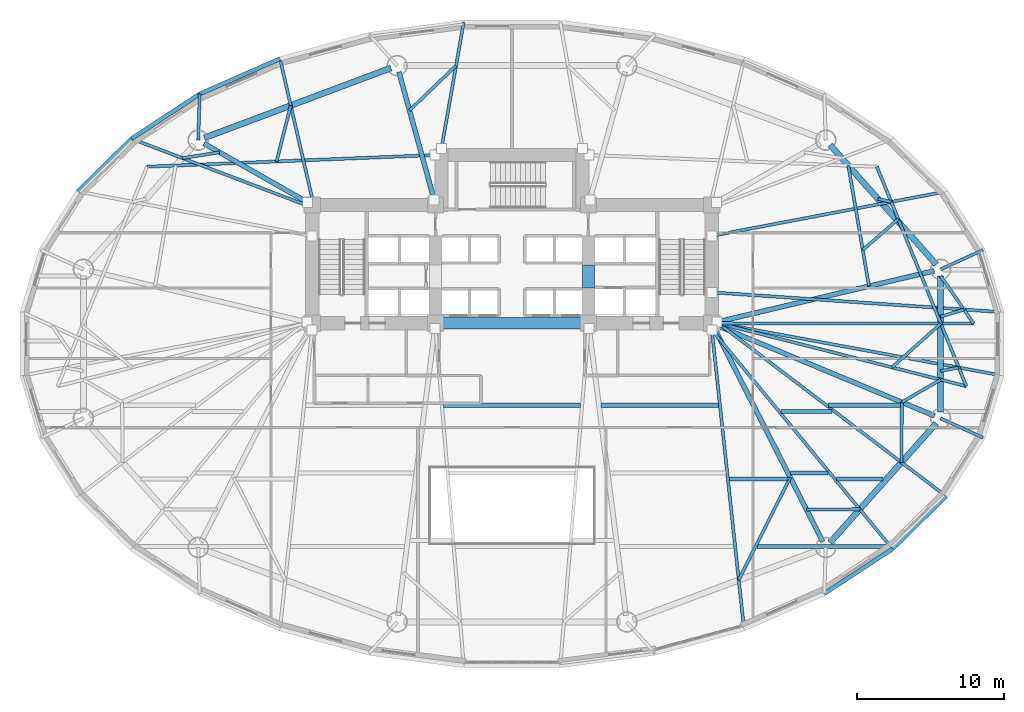
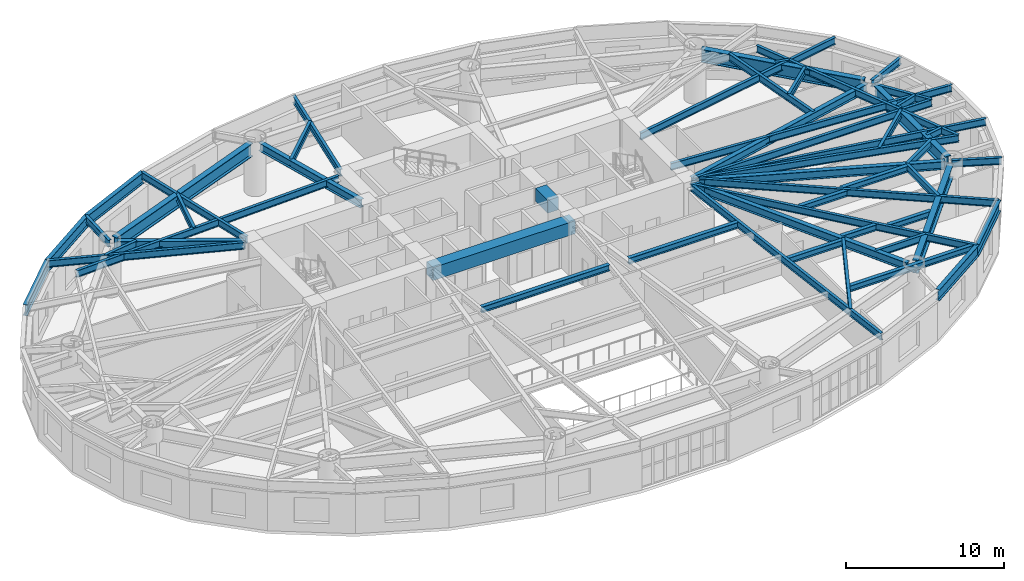
# One storey, part 5 of 19: 54 beams.
"""IFC4 building model written with IfcOpenShell, lengths in metres."""

from ifc_helpers import new_model, si_unit, direction, frame, origin, origin_2d, place, context, subcontext, project, spatial, rectangle, i_section, extrude, material, material_profile, profile_set, type_object, element, save


model = new_model("IFC4")

# Units and contexts
model_context = context("Model", 3, precision=1e-05, world=origin(), true_north=direction((0.0, 1.0)))
body_context = subcontext(model_context, "Body", "Model", "MODEL_VIEW")
ifc_project = project(units=[si_unit("LENGTHUNIT", "METRE"), si_unit("AREAUNIT", "SQUARE_METRE"), si_unit("VOLUMEUNIT", "CUBIC_METRE"), si_unit("PLANEANGLEUNIT", "RADIAN"), si_unit("MASSUNIT", "GRAM", prefix="KILO")], contexts=[model_context])

# Site, building, storey
site_placement = place(None, origin())
site = spatial("IfcSite", under=ifc_project, at=site_placement, CompositionType="ELEMENT")
building_placement = place(site_placement, origin())
building = spatial("IfcBuilding", under=site, at=building_placement, Name="Keldmark Tower", CompositionType="ELEMENT")
storey_placement = place(building_placement, frame((0.0, 0.0, 10.199951171875)))
storey = spatial("IfcBuildingStorey", under=building, at=storey_placement, Name="L02", CompositionType="ELEMENT", Elevation=10.199951171875)

# Beams
ifc_material_1 = material(Name="Steel ASTM A992 Grade 50", Category="steel")
ifc_material_profile_1 = material_profile(ifc_material_1, i_section(OverallWidth=0.280029296875, OverallDepth=0.462890625, WebThickness=0.0107421875, FlangeThickness=0.017333984375, at=origin_2d()), Name="W18X76")
ifc_profile_set_1 = profile_set([ifc_material_profile_1], Name="Steel ASTM A992 Grade 50")
beam_type_1 = type_object("IfcBeamType", Name="Composite Floor Joist W18X76", PredefinedType="JOIST", material=ifc_profile_set_1)
beam_1_placement = place(storey_placement, frame((16.68310546875, -13.800048828125, 3.74853515625), z_axis=(1.0, 0.0, 0.0), x_axis=(0.0, 1.0, 0.0)))
element("IfcBeam", 1, at=beam_1_placement, inside=storey, type_object=beam_type_1, Name="L02 Composite Floor Joist J07", PredefinedType="JOIST", context=body_context, shape_type="SweptSolid", body=[
    extrude(i_section(OverallWidth=0.280029296875, OverallDepth=0.462890625, WebThickness=0.0107421875, FlangeThickness=0.017333984375, at=origin_2d()), origin(), (0.0, 0.0, 1.0), 8.95751953125),
])
beam_2_placement = place(storey_placement, frame((14.789794921875, -9.199951171875, 3.74853515625), z_axis=(1.0, 0.0, 0.0), x_axis=(0.0, 1.0, 0.0)))
element("IfcBeam", 2, at=beam_2_placement, inside=storey, type_object=beam_type_1, Name="L02 Composite Floor Joist J14", PredefinedType="JOIST", context=body_context, shape_type="SweptSolid", body=[
    extrude(i_section(OverallWidth=0.280029296875, OverallDepth=0.462890625, WebThickness=0.0107421875, FlangeThickness=0.017333984375, at=origin_2d()), origin(), (0.0, 0.0, 1.0), 3.982421875),
])
beam_3_placement = place(storey_placement, frame((18.947265625, -8.780029296875, 3.74853515625), z_axis=(1.0, 0.0, 0.0), x_axis=(0.0, 1.0, 0.0)))
element("IfcBeam", 3, at=beam_3_placement, inside=storey, type_object=beam_type_1, Name="L02 Composite Floor Joist J15", PredefinedType="JOIST", context=body_context, shape_type="SweptSolid", body=[
    extrude(i_section(OverallWidth=0.280029296875, OverallDepth=0.462890625, WebThickness=0.0107421875, FlangeThickness=0.017333984375, at=origin_2d()), origin(), (0.0, 0.0, 1.0), 2.552734375),
])
beam_4_placement = place(storey_placement, frame((22.09814453125, -9.199951171875, 3.74853515625), z_axis=(1.0, 0.0, 0.0), x_axis=(0.0, 1.0, 0.0)))
element("IfcBeam", 4, at=beam_4_placement, inside=storey, type_object=beam_type_1, Name="L02 Composite Floor Joist J16", PredefinedType="JOIST", context=body_context, shape_type="SweptSolid", body=[
    extrude(i_section(OverallWidth=0.280029296875, OverallDepth=0.462890625, WebThickness=0.0107421875, FlangeThickness=0.017333984375, at=origin_2d()), origin(), (0.0, 0.0, 1.0), 3.142822265625),
])
beam_5_placement = place(storey_placement, frame((-4.67333984375, -4.179931640625, 3.74853515625), z_axis=(1.0, 0.0, 0.0), x_axis=(0.0, 1.0, 0.0)))
element("IfcBeam", 5, at=beam_5_placement, inside=storey, type_object=beam_type_1, Name="L02 Composite Floor Joist J21", PredefinedType="JOIST", context=body_context, shape_type="SweptSolid", body=[
    extrude(i_section(OverallWidth=0.280029296875, OverallDepth=0.462890625, WebThickness=0.0107421875, FlangeThickness=0.017333984375, at=origin_2d()), origin(), (0.0, 0.0, 1.0), 9.3466796875),
])
beam_6_placement = place(storey_placement, frame((6.073974609375, -4.179931640625, 3.74853515625), z_axis=(1.0, 0.0, 0.0), x_axis=(0.0, 1.0, 0.0)))
element("IfcBeam", 6, at=beam_6_placement, inside=storey, type_object=beam_type_1, Name="L02 Composite Floor Joist J22", PredefinedType="JOIST", context=body_context, shape_type="SweptSolid", body=[
    extrude(i_section(OverallWidth=0.280029296875, OverallDepth=0.462890625, WebThickness=0.0107421875, FlangeThickness=0.017333984375, at=origin_2d()), origin(), (0.0, 0.0, 1.0), 7.98193359375),
])
beam_7_placement = place(storey_placement, frame((18.303955078125, -4.60009765625, 3.74853515625), z_axis=(1.0, 0.0, 0.0), x_axis=(0.0, 1.0, 0.0)))
element("IfcBeam", 7, at=beam_7_placement, inside=storey, type_object=beam_type_1, Name="L02 Composite Floor Joist J23", PredefinedType="JOIST", context=body_context, shape_type="SweptSolid", body=[
    extrude(i_section(OverallWidth=0.280029296875, OverallDepth=0.462890625, WebThickness=0.0107421875, FlangeThickness=0.017333984375, at=origin_2d()), origin(), (0.0, 0.0, 1.0), 3.482177734375),
])
beam_8_placement = place(storey_placement, frame((21.55712890625, -4.179931640625, 3.74853515625), z_axis=(1.0, 0.0, 0.0), x_axis=(0.0, 1.0, 0.0)))
element("IfcBeam", 8, at=beam_8_placement, inside=storey, type_object=beam_type_1, Name="L02 Composite Floor Joist J24", PredefinedType="JOIST", context=body_context, shape_type="SweptSolid", body=[
    extrude(i_section(OverallWidth=0.280029296875, OverallDepth=0.462890625, WebThickness=0.0107421875, FlangeThickness=0.017333984375, at=origin_2d()), origin(), (0.0, 0.0, 1.0), 4.87646484375),
])
ifc_material_2 = material(Name="Concrete C70/85", Category="concrete")
ifc_material_profile_2 = material_profile(ifc_material_2, rectangle(XDim=0.800048828125, YDim=1.0, at=origin_2d()), Name="RCB800X1000")
ifc_profile_set_2 = profile_set([ifc_material_profile_2], Name="Concrete C70/85")
beam_type_2 = type_object("IfcBeamType", Name="Core Coupling Beam RCB800X1000", PredefinedType="USERDEFINED", material=ifc_profile_set_2)
beam_9_placement = place(storey_placement, frame((5.199951171875, 3.800048828125, 3.47998046875), z_axis=(0.0, 1.0, 0.0), x_axis=(-1.0, 0.0, 0.0)))
element("IfcBeam", 9, at=beam_9_placement, inside=storey, type_object=beam_type_2, Name="L02 East Core Coupling Beam", ObjectType="COUPLING BEAM", PredefinedType="USERDEFINED", context=body_context, shape_type="SweptSolid", body=[
    extrude(rectangle(XDim=0.800048828125, YDim=1.0, at=origin_2d()), origin(), (0.0, 0.0, 1.0), 1.550048828125),
])
beam_10_placement = place(storey_placement, frame((-5.199951171875, 1.39990234375, 3.47998046875), z_axis=(1.0, 0.0, 0.0), x_axis=(0.0, 1.0, 0.0)))
element("IfcBeam", 10, at=beam_10_placement, inside=storey, type_object=beam_type_2, Name="L02 Central South Core Coupling Beam", ObjectType="COUPLING BEAM", PredefinedType="USERDEFINED", context=body_context, shape_type="SweptSolid", body=[
    extrude(rectangle(XDim=0.800048828125, YDim=1.0, at=origin_2d()), origin(), (0.0, 0.0, 1.0), 10.39990234375),
])
ifc_material_3 = material(Name="Steel ASTM A992 Grade 50", Category="steel")
ifc_material_profile_3 = material_profile(ifc_material_3, i_section(OverallWidth=0.402099609375, OverallDepth=1.011962890625, WebThickness=0.023681640625, FlangeThickness=0.0419921875, at=origin_2d()), Name="W40X297")
ifc_profile_set_3 = profile_set([ifc_material_profile_3], Name="Steel ASTM A992 Grade 50")
beam_type_3 = type_object("IfcBeamType", Name="Podium Primary Girder W40X297", PredefinedType="BEAM", material=ifc_profile_set_3)
beam_11_placement = place(storey_placement, frame((28.871826171875, 5.4091796875, 3.47412109375), z_axis=(-0.66464984112, 0.747154996436, 0.0), x_axis=(-0.747154996436, -0.66464984112, 0.0)))
element("IfcBeam", 11, at=beam_11_placement, inside=storey, type_object=beam_type_3, Name="L02 Podium Ring Girder PG-R01", PredefinedType="BEAM", context=body_context, shape_type="SweptSolid", body=[
    extrude(i_section(OverallWidth=0.402099609375, OverallDepth=1.011962890625, WebThickness=0.023681640625, FlangeThickness=0.0419921875, at=origin_2d()), origin(), (0.0, 0.0, 1.0), 10.85986328125),
])
beam_12_placement = place(storey_placement, frame((-8.23779296875, 18.774169921875, 3.47412109375), z_axis=(-0.936417954382, -0.350886612329, 0.0), x_axis=(0.350886612329, -0.936417954382, 0.0)))
element("IfcBeam", 12, at=beam_12_placement, inside=storey, type_object=beam_type_3, Name="L02 Podium Ring Girder PG-R04", PredefinedType="BEAM", context=body_context, shape_type="SweptSolid", body=[
    extrude(i_section(OverallWidth=0.402099609375, OverallDepth=1.011962890625, WebThickness=0.023681640625, FlangeThickness=0.0419921875, at=origin_2d()), origin(), (0.0, 0.0, 1.0), 13.557373046875),
])
beam_13_placement = place(storey_placement, frame((21.65380859375, -13.523193359375, 3.47412109375), z_axis=(0.66464984112, 0.747154996436, 0.0), x_axis=(-0.747154996436, 0.66464984112, 0.0)))
element("IfcBeam", 13, at=beam_13_placement, inside=storey, type_object=beam_type_3, Name="L02 Podium Ring Girder PG-R11", PredefinedType="BEAM", context=body_context, shape_type="SweptSolid", body=[
    extrude(i_section(OverallWidth=0.402099609375, OverallDepth=1.011962890625, WebThickness=0.023681640625, FlangeThickness=0.0419921875, at=origin_2d()), origin(), (0.0, 0.0, 1.0), 10.85986328125),
])
beam_14_placement = place(storey_placement, frame((29.1708984375, -4.622802734375, 3.47412109375), z_axis=(0.0, 1.0, 0.0), x_axis=(-1.0, 0.0, 0.0)))
element("IfcBeam", 14, at=beam_14_placement, inside=storey, type_object=beam_type_3, Name="L02 Podium Ring Girder PG-R12", PredefinedType="BEAM", context=body_context, shape_type="SweptSolid", body=[
    extrude(i_section(OverallWidth=0.402099609375, OverallDepth=1.011962890625, WebThickness=0.023681640625, FlangeThickness=0.0419921875, at=origin_2d()), origin(), (0.0, 0.0, 1.0), 9.24560546875),
])
ifc_material_4 = material(Name="Steel ASTM A992 Grade 50", Category="steel")
ifc_material_profile_4 = material_profile(ifc_material_4, i_section(OverallWidth=0.2099609375, OverallDepth=0.537109375, WebThickness=0.010986328125, FlangeThickness=0.017333984375, at=origin_2d()), Name="W21X68")
ifc_profile_set_4 = profile_set([ifc_material_profile_4], Name="Steel ASTM A992 Grade 50")
beam_type_4 = type_object("IfcBeamType", Name="Radial Tie Girder W21X68", PredefinedType="BEAM", material=ifc_profile_set_4)
beam_15_placement = place(storey_placement, frame((24.29541015625, 3.9228515625, 3.711669921875), z_axis=(-0.168727090465, 0.985662806919, 0.0), x_axis=(-0.985662806919, -0.168727090465, 0.0)))
element("IfcBeam", 15, at=beam_15_placement, inside=storey, type_object=beam_type_4, Name="L02 Framing Pin Header PH-001", PredefinedType="BEAM", context=body_context, shape_type="SweptSolid", body=[
    extrude(i_section(OverallWidth=0.2099609375, OverallDepth=0.537109375, WebThickness=0.010986328125, FlangeThickness=0.017333984375, at=origin_2d()), origin(), (0.0, 0.0, 1.0), 8.330078125),
])
beam_16_placement = place(storey_placement, frame((-5.25, 12.85009765625, 3.711669921875), z_axis=(-0.999176318744, -0.040579355112, 0.0), x_axis=(0.040579355112, -0.999176318744, 0.0)))
element("IfcBeam", 16, at=beam_16_placement, inside=storey, type_object=beam_type_4, Name="L02 Sub-Ring Step Girder STP1-M06", PredefinedType="BEAM", context=body_context, shape_type="SweptSolid", body=[
    extrude(i_section(OverallWidth=0.2099609375, OverallDepth=0.537109375, WebThickness=0.010986328125, FlangeThickness=0.017333984375, at=origin_2d()), origin(), (0.0, 0.0, 1.0), 19.601318359375),
])
beam_17_placement = place(storey_placement, frame((26.53076171875, -3.975341796875, 3.711669921875), z_axis=(0.864583927723, 0.502488439591, 0.0), x_axis=(-0.502488439591, 0.864583927723, 0.0)))
element("IfcBeam", 17, at=beam_17_placement, inside=storey, type_object=beam_type_4, Name="L02 Framing Pin Header PH-004", PredefinedType="BEAM", context=body_context, shape_type="SweptSolid", body=[
    extrude(i_section(OverallWidth=0.2099609375, OverallDepth=0.537109375, WebThickness=0.010986328125, FlangeThickness=0.017333984375, at=origin_2d()), origin(), (0.0, 0.0, 1.0), 3.0537109375),
])
beam_18_placement = place(storey_placement, frame((14.050048828125, 1.39990234375, 3.711669921875), z_axis=(0.969223280707, -0.246183330336, 0.0), x_axis=(0.246183330336, 0.969223280707, 0.0)))
element("IfcBeam", 18, at=beam_18_placement, inside=storey, type_object=beam_type_4, Name="L02 Sub-Ring Step Girder STP1-M12", PredefinedType="BEAM", context=body_context, shape_type="SweptSolid", body=[
    extrude(i_section(OverallWidth=0.2099609375, OverallDepth=0.537109375, WebThickness=0.010986328125, FlangeThickness=0.017333984375, at=origin_2d()), origin(), (0.0, 0.0, 1.0), 17.409423828125),
])
beam_19_placement = place(storey_placement, frame((30.923583984375, -2.885986328125, 3.711669921875), z_axis=(-0.377373313858, 0.926061219352, 0.0), x_axis=(-0.926061219352, -0.377373313858, 0.0)))
element("IfcBeam", 19, at=beam_19_placement, inside=storey, type_object=beam_type_4, Name="L02 Perimeter Collector Ring Beam CRG1-M12", PredefinedType="BEAM", context=body_context, shape_type="SweptSolid", body=[
    extrude(i_section(OverallWidth=0.2099609375, OverallDepth=0.537109375, WebThickness=0.010986328125, FlangeThickness=0.017333984375, at=origin_2d()), origin(), (0.0, 0.0, 1.0), 16.133544921875),
])
beam_20_placement = place(storey_placement, frame((23.873779296875, 6.385986328125, 3.711669921875), z_axis=(0.75360521116, 0.657327304859, 0.0), x_axis=(-0.657327304859, 0.75360521116, 0.0)))
element("IfcBeam", 20, at=beam_20_placement, inside=storey, type_object=beam_type_4, Name="L02 Framing Pin Header PH-005", PredefinedType="BEAM", context=body_context, shape_type="SweptSolid", body=[
    extrude(i_section(OverallWidth=0.2099609375, OverallDepth=0.537109375, WebThickness=0.010986328125, FlangeThickness=0.017333984375, at=origin_2d()), origin(), (0.0, 0.0, 1.0), 3.20263671875),
])
beam_21_placement = place(storey_placement, frame((25.861328125, -1.60009765625, 3.711669921875), z_axis=(0.744769074926, 0.667322279737, 0.0), x_axis=(-0.667322279737, 0.744769074926, 0.0)))
element("IfcBeam", 21, at=beam_21_placement, inside=storey, type_object=beam_type_4, Name="L02 Framing Pin Header PH-007", PredefinedType="BEAM", context=body_context, shape_type="SweptSolid", body=[
    extrude(i_section(OverallWidth=0.2099609375, OverallDepth=0.537109375, WebThickness=0.010986328125, FlangeThickness=0.017333984375, at=origin_2d()), origin(), (0.0, 0.0, 1.0), 4.4638671875),
])
beam_22_placement = place(storey_placement, frame((14.050048828125, 1.39990234375, 3.711669921875), z_axis=(0.999999012479, -0.001405361477, 0.0), x_axis=(0.001405361477, 0.999999012479, 0.0)))
element("IfcBeam", 22, at=beam_22_placement, inside=storey, type_object=beam_type_4, Name="L02 Intermediate Radial Step Girder RT-01M", PredefinedType="BEAM", context=body_context, shape_type="SweptSolid", body=[
    extrude(i_section(OverallWidth=0.2099609375, OverallDepth=0.537109375, WebThickness=0.010986328125, FlangeThickness=0.017333984375, at=origin_2d()), origin(), (0.0, 0.0, 1.0), 17.3720703125),
])
beam_23_placement = place(storey_placement, frame((29.1708984375, 4.622802734375, 3.711669921875), z_axis=(0.569736780414, -0.821827233087, 0.0), x_axis=(0.821827233087, 0.569736780414, 0.0)))
element("IfcBeam", 23, at=beam_23_placement, inside=storey, type_object=beam_type_4, Name="L02 Local Collector Chord RT-01C", PredefinedType="BEAM", context=body_context, shape_type="SweptSolid", body=[
    extrude(i_section(OverallWidth=0.2099609375, OverallDepth=0.537109375, WebThickness=0.010986328125, FlangeThickness=0.017333984375, at=origin_2d()), origin(), (0.0, 0.0, 1.0), 3.951416015625),
])
beam_24_placement = place(storey_placement, frame((29.1708984375, 1.84912109375, 3.711669921875), z_axis=(0.956545506863, 0.291583081299, 0.0), x_axis=(-0.291583081299, 0.956545506863, 0.0)))
element("IfcBeam", 24, at=beam_24_placement, inside=storey, type_object=beam_type_4, Name="L02 Framing Pin Header PH-008", PredefinedType="BEAM", context=body_context, shape_type="SweptSolid", body=[
    extrude(i_section(OverallWidth=0.2099609375, OverallDepth=0.537109375, WebThickness=0.010986328125, FlangeThickness=0.017333984375, at=origin_2d()), origin(), (0.0, 0.0, 1.0), 1.659423828125),
])
beam_25_placement = place(storey_placement, frame((13.60009765625, 3.507080078125, 3.711669921875), z_axis=(0.99766727611, -0.068264237918, 0.0), x_axis=(0.068264237918, 0.99766727611, 0.0)))
element("IfcBeam", 25, at=beam_25_placement, inside=storey, type_object=beam_type_4, Name="L02 Perimeter Radial Tie Girder RT-01", PredefinedType="BEAM", context=body_context, shape_type="SweptSolid", body=[
    extrude(i_section(OverallWidth=0.2099609375, OverallDepth=0.537109375, WebThickness=0.010986328125, FlangeThickness=0.017333984375, at=origin_2d()), origin(), (0.0, 0.0, 1.0), 19.78466796875),
])
beam_26_placement = place(storey_placement, frame((29.1708984375, 5.072998046875, 3.711669921875), z_axis=(0.910237250682, 0.414087125458, 0.0), x_axis=(-0.414087125458, 0.910237250682, 0.0)))
element("IfcBeam", 26, at=beam_26_placement, inside=storey, type_object=beam_type_4, Name="L02 Perimeter Column Bracket RT-02", PredefinedType="BEAM", context=body_context, shape_type="SweptSolid", body=[
    extrude(i_section(OverallWidth=0.2099609375, OverallDepth=0.537109375, WebThickness=0.010986328125, FlangeThickness=0.017333984375, at=origin_2d()), origin(), (0.0, 0.0, 1.0), 3.17138671875),
])
beam_27_placement = place(storey_placement, frame((24.90185546875, 9.871826171875, 3.711669921875), z_axis=(0.974258642334, -0.225433133848, 0.0), x_axis=(0.225433133848, 0.974258642334, 0.0)))
element("IfcBeam", 27, at=beam_27_placement, inside=storey, type_object=beam_type_4, Name="L02 Framing Pin Header PH-009", PredefinedType="BEAM", context=body_context, shape_type="SweptSolid", body=[
    extrude(i_section(OverallWidth=0.2099609375, OverallDepth=0.537109375, WebThickness=0.010986328125, FlangeThickness=0.017333984375, at=origin_2d()), origin(), (0.0, 0.0, 1.0), 0.932373046875),
])
beam_28_placement = place(storey_placement, frame((13.60009765625, 7.343017578125, 3.711669921875), z_axis=(0.982445190552, 0.186551460894, 0.0), x_axis=(-0.186551460894, 0.982445190552, 0.0)))
element("IfcBeam", 28, at=beam_28_placement, inside=storey, type_object=beam_type_4, Name="L02 Perimeter Radial Tie Girder RT-03", PredefinedType="BEAM", context=body_context, shape_type="SweptSolid", body=[
    extrude(i_section(OverallWidth=0.2099609375, OverallDepth=0.537109375, WebThickness=0.010986328125, FlangeThickness=0.017333984375, at=origin_2d()), origin(), (0.0, 0.0, 1.0), 16.229248046875),
])
beam_29_placement = place(storey_placement, frame((-6.9755859375, 15.885009765625, 3.711669921875), z_axis=(0.720880013375, 0.69305988653, 0.0), x_axis=(-0.69305988653, 0.720880013375, 0.0)))
element("IfcBeam", 29, at=beam_29_placement, inside=storey, type_object=beam_type_4, Name="L02 Framing Pin Header PH-013", PredefinedType="BEAM", context=body_context, shape_type="SweptSolid", body=[
    extrude(i_section(OverallWidth=0.2099609375, OverallDepth=0.537109375, WebThickness=0.010986328125, FlangeThickness=0.017333984375, at=origin_2d()), origin(), (0.0, 0.0, 1.0), 4.396728515625),
])
beam_30_placement = place(storey_placement, frame((-4.800048828125, 13.300048828125, 3.711669921875), z_axis=(0.173759798583, 0.984788064711, 0.0), x_axis=(-0.984788064711, 0.173759798583, 0.0)))
element("IfcBeam", 30, at=beam_30_placement, inside=storey, type_object=beam_type_4, Name="L02 Perimeter Radial Tie Girder RT-09", PredefinedType="BEAM", context=body_context, shape_type="SweptSolid", body=[
    extrude(i_section(OverallWidth=0.2099609375, OverallDepth=0.537109375, WebThickness=0.010986328125, FlangeThickness=0.017333984375, at=origin_2d()), origin(), (0.0, 0.0, 1.0), 8.726806640625),
])
beam_31_placement = place(storey_placement, frame((-16.02197265625, 12.41259765625, 3.711669921875), z_axis=(0.245606779521, 0.969369542462, 0.0), x_axis=(-0.969369542462, 0.245606779521, 0.0)))
element("IfcBeam", 31, at=beam_31_placement, inside=storey, type_object=beam_type_4, Name="L02 Framing Pin Header PH-014", PredefinedType="BEAM", context=body_context, shape_type="SweptSolid", body=[
    extrude(i_section(OverallWidth=0.2099609375, OverallDepth=0.537109375, WebThickness=0.010986328125, FlangeThickness=0.017333984375, at=origin_2d()), origin(), (0.0, 0.0, 1.0), 3.926513671875),
])
beam_32_placement = place(storey_placement, frame((-13.60009765625, 9.89990234375, 3.711669921875), z_axis=(-0.224740658325, 0.974418614608, 0.0), x_axis=(-0.974418614608, -0.224740658325, 0.0)))
element("IfcBeam", 32, at=beam_32_placement, inside=storey, type_object=beam_type_4, Name="L02 Perimeter Radial Tie Girder RT-11", PredefinedType="BEAM", context=body_context, shape_type="SweptSolid", body=[
    extrude(i_section(OverallWidth=0.2099609375, OverallDepth=0.537109375, WebThickness=0.010986328125, FlangeThickness=0.017333984375, at=origin_2d()), origin(), (0.0, 0.0, 1.0), 9.751953125),
])
beam_33_placement = place(storey_placement, frame((-21.3544921875, 13.859375, 3.711669921875), z_axis=(0.032491176768, 0.999472022336, 0.0), x_axis=(-0.999472022336, 0.032491176768, 0.0)))
element("IfcBeam", 33, at=beam_33_placement, inside=storey, type_object=beam_type_4, Name="L02 Perimeter Column Bracket RT-12", PredefinedType="BEAM", context=body_context, shape_type="SweptSolid", body=[
    extrude(i_section(OverallWidth=0.2099609375, OverallDepth=0.537109375, WebThickness=0.010986328125, FlangeThickness=0.017333984375, at=origin_2d()), origin(), (0.0, 0.0, 1.0), 3.1484375),
])
beam_34_placement = place(storey_placement, frame((-19.904541015625, 13.034912109375, 3.711669921875), z_axis=(-0.988136063904, -0.153580985843, 0.0), x_axis=(0.153580985843, -0.988136063904, 0.0)))
element("IfcBeam", 34, at=beam_34_placement, inside=storey, type_object=beam_type_4, Name="L02 Framing Pin Header PH-015", PredefinedType="BEAM", context=body_context, shape_type="SweptSolid", body=[
    extrude(i_section(OverallWidth=0.2099609375, OverallDepth=0.537109375, WebThickness=0.010986328125, FlangeThickness=0.017333984375, at=origin_2d()), origin(), (0.0, 0.0, 1.0), 2.564208984375),
])
beam_35_placement = place(storey_placement, frame((-14.050048828125, 9.449951171875, 3.711669921875), z_axis=(-0.934642662924, 0.355588375293, 0.0), x_axis=(-0.355588375293, -0.934642662924, 0.0)))
element("IfcBeam", 35, at=beam_35_placement, inside=storey, type_object=beam_type_4, Name="L02 Perimeter Radial Tie Girder RT-13", PredefinedType="BEAM", context=body_context, shape_type="SweptSolid", body=[
    extrude(i_section(OverallWidth=0.2099609375, OverallDepth=0.537109375, WebThickness=0.010986328125, FlangeThickness=0.017333984375, at=origin_2d()), origin(), (0.0, 0.0, 1.0), 12.67431640625),
])
beam_36_placement = place(storey_placement, frame((18.93310546875, -9.09423828125, 3.711669921875), z_axis=(-0.447976051769, -0.894045556469, 0.0), x_axis=(0.894045556469, -0.447976051769, 0.0)))
element("IfcBeam", 36, at=beam_36_placement, inside=storey, type_object=beam_type_4, Name="L02 Framing Pin Header PH-024", PredefinedType="BEAM", context=body_context, shape_type="SweptSolid", body=[
    extrude(i_section(OverallWidth=0.2099609375, OverallDepth=0.537109375, WebThickness=0.010986328125, FlangeThickness=0.017333984375, at=origin_2d()), origin(), (0.0, 0.0, 1.0), 7.811279296875),
])
beam_37_placement = place(storey_placement, frame((13.60009765625, 0.949951171875, 3.711669921875), z_axis=(0.10706666985, -0.994251843452, 0.0), x_axis=(0.994251843452, 0.10706666985, 0.0)))
element("IfcBeam", 37, at=beam_37_placement, inside=storey, type_object=beam_type_4, Name="L02 Perimeter Radial Tie Girder RT-27", PredefinedType="BEAM", context=body_context, shape_type="SweptSolid", body=[
    extrude(i_section(OverallWidth=0.2099609375, OverallDepth=0.537109375, WebThickness=0.010986328125, FlangeThickness=0.017333984375, at=origin_2d()), origin(), (0.0, 0.0, 1.0), 20.469970703125),
])
beam_38_placement = place(storey_placement, frame((20.0419921875, -11.276123046875, 3.711669921875), z_axis=(0.999986569863, 0.005182672537, 0.0), x_axis=(-0.005182672537, 0.999986569863, 0.0)))
element("IfcBeam", 38, at=beam_38_placement, inside=storey, type_object=beam_type_4, Name="L02 Framing Pin Header PH-025", PredefinedType="BEAM", context=body_context, shape_type="SweptSolid", body=[
    extrude(i_section(OverallWidth=0.2099609375, OverallDepth=0.537109375, WebThickness=0.010986328125, FlangeThickness=0.017333984375, at=origin_2d()), origin(), (0.0, 0.0, 1.0), 3.627197265625),
])
beam_39_placement = place(storey_placement, frame((13.60009765625, 0.949951171875, 3.711669921875), z_axis=(0.636316421227, -0.771428163912, 0.0), x_axis=(0.771428163912, 0.636316421227, 0.0)))
element("IfcBeam", 39, at=beam_39_placement, inside=storey, type_object=beam_type_4, Name="L02 Perimeter Radial Tie Girder RT-29", PredefinedType="BEAM", context=body_context, shape_type="SweptSolid", body=[
    extrude(i_section(OverallWidth=0.2099609375, OverallDepth=0.537109375, WebThickness=0.010986328125, FlangeThickness=0.017333984375, at=origin_2d()), origin(), (0.0, 0.0, 1.0), 19.323486328125),
])
beam_40_placement = place(storey_placement, frame((26.53076171875, -3.975341796875, 3.711669921875), z_axis=(-0.005253345215, -0.999986201087, 0.0), x_axis=(0.999986201087, -0.005253345215, 0.0)))
element("IfcBeam", 40, at=beam_40_placement, inside=storey, type_object=beam_type_4, Name="L02 Framing Pin Header PH-026", PredefinedType="BEAM", context=body_context, shape_type="SweptSolid", body=[
    extrude(i_section(OverallWidth=0.2099609375, OverallDepth=0.537109375, WebThickness=0.010986328125, FlangeThickness=0.017333984375, at=origin_2d()), origin(), (0.0, 0.0, 1.0), 4.089599609375),
])
beam_41_placement = place(storey_placement, frame((14.050048828125, 1.39990234375, 3.711669921875), z_axis=(0.796291526481, -0.604913055616, 0.0), x_axis=(0.604913055616, 0.796291526481, 0.0)))
element("IfcBeam", 41, at=beam_41_placement, inside=storey, type_object=beam_type_4, Name="L02 Perimeter Radial Tie Girder RT-30", PredefinedType="BEAM", context=body_context, shape_type="SweptSolid", body=[
    extrude(i_section(OverallWidth=0.2099609375, OverallDepth=0.537109375, WebThickness=0.010986328125, FlangeThickness=0.017333984375, at=origin_2d()), origin(), (0.0, 0.0, 1.0), 19.458251953125),
])
beam_42_placement = place(storey_placement, frame((29.1708984375, -5.072998046875, 3.711669921875), z_axis=(0.910237250682, -0.414087125458, 0.0), x_axis=(0.414087125458, 0.910237250682, 0.0)))
element("IfcBeam", 42, at=beam_42_placement, inside=storey, type_object=beam_type_4, Name="L02 Perimeter Column Bracket RT-31", PredefinedType="BEAM", context=body_context, shape_type="SweptSolid", body=[
    extrude(i_section(OverallWidth=0.2099609375, OverallDepth=0.537109375, WebThickness=0.010986328125, FlangeThickness=0.017333984375, at=origin_2d()), origin(), (0.0, 0.0, 1.0), 3.17138671875),
])
beam_43_placement = place(storey_placement, frame((29.1708984375, -1.84912109375, 3.711669921875), z_axis=(0.982609535438, 0.185683873469, 0.0), x_axis=(-0.185683873469, 0.982609535438, 0.0)))
element("IfcBeam", 43, at=beam_43_placement, inside=storey, type_object=beam_type_4, Name="L02 Framing Pin Header PH-027", PredefinedType="BEAM", context=body_context, shape_type="SweptSolid", body=[
    extrude(i_section(OverallWidth=0.2099609375, OverallDepth=0.537109375, WebThickness=0.010986328125, FlangeThickness=0.017333984375, at=origin_2d()), origin(), (0.0, 0.0, 1.0), 1.257080078125),
])
beam_44_placement = place(storey_placement, frame((14.050048828125, 1.39990234375, 3.711669921875), z_axis=(0.983423761945, -0.181322101363, 0.0), x_axis=(0.181322101363, 0.983423761945, 0.0)))
element("IfcBeam", 44, at=beam_44_placement, inside=storey, type_object=beam_type_4, Name="L02 Perimeter Radial Tie Girder RT-32", PredefinedType="BEAM", context=body_context, shape_type="SweptSolid", body=[
    extrude(i_section(OverallWidth=0.2099609375, OverallDepth=0.537109375, WebThickness=0.010986328125, FlangeThickness=0.017333984375, at=origin_2d()), origin(), (0.0, 0.0, 1.0), 19.61376953125),
])
ifc_material_5 = material(Name="Steel ASTM A992 Grade 50", Category="steel")
ifc_material_profile_5 = material_profile(ifc_material_5, i_section(OverallWidth=0.326904296875, OverallDepth=0.6220703125, WebThickness=0.015380859375, FlangeThickness=0.0244140625, at=origin_2d()), Name="W24X131")
ifc_profile_set_5 = profile_set([ifc_material_profile_5], Name="Steel ASTM A992 Grade 50")
beam_type_5 = type_object("IfcBeamType", Name="Spandrel Ring Beam W24X131", PredefinedType="SPANDREL", material=ifc_profile_set_5)
beam_45_placement = place(storey_placement, frame((28.73291015625, 4.969482421875, 3.6689453125), z_axis=(-0.973292516513, -0.229568458854, 0.0), x_axis=(0.229568458854, -0.973292516513, 0.0)))
element("IfcBeam", 45, at=beam_45_placement, inside=storey, type_object=beam_type_5, Name="L02 Podium Radial Girder PG-C01", PredefinedType="SPANDREL", context=body_context, shape_type="SweptSolid", body=[
    extrude(i_section(OverallWidth=0.326904296875, OverallDepth=0.6220703125, WebThickness=0.015380859375, FlangeThickness=0.0244140625, at=origin_2d()), origin(), (0.0, 0.0, 1.0), 15.1982421875),
])
beam_46_placement = place(storey_placement, frame((-7.696533203125, 18.498291015625, 3.6689453125), z_axis=(0.265960165124, -0.963984019871, 0.0), x_axis=(0.963984019871, 0.265960165124, 0.0)))
element("IfcBeam", 46, at=beam_46_placement, inside=storey, type_object=beam_type_5, Name="L02 Podium Radial Girder PG-C04", PredefinedType="SPANDREL", context=body_context, shape_type="SweptSolid", body=[
    extrude(i_section(OverallWidth=0.326904296875, OverallDepth=0.6220703125, WebThickness=0.015380859375, FlangeThickness=0.0244140625, at=origin_2d()), origin(), (0.0, 0.0, 1.0), 9.036376953125),
])
beam_47_placement = place(storey_placement, frame((-20.96337890625, 13.636962890625, 3.6689453125), z_axis=(0.869293918493, -0.494295542434, 0.0), x_axis=(0.494295542434, 0.869293918493, 0.0)))
element("IfcBeam", 47, at=beam_47_placement, inside=storey, type_object=beam_type_5, Name="L02 Podium Radial Girder PG-C05", PredefinedType="SPANDREL", context=body_context, shape_type="SweptSolid", body=[
    extrude(i_section(OverallWidth=0.326904296875, OverallDepth=0.6220703125, WebThickness=0.015380859375, FlangeThickness=0.0244140625, at=origin_2d()), origin(), (0.0, 0.0, 1.0), 8.120361328125),
])
beam_48_placement = place(storey_placement, frame((21.150634765625, -13.4580078125, 3.6689453125), z_axis=(-0.45304555932, 0.891487364566, 0.0), x_axis=(-0.891487364566, -0.45304555932, 0.0)))
element("IfcBeam", 48, at=beam_48_placement, inside=storey, type_object=beam_type_5, Name="L02 Podium Radial Girder PG-C11", PredefinedType="SPANDREL", context=body_context, shape_type="SweptSolid", body=[
    extrude(i_section(OverallWidth=0.326904296875, OverallDepth=0.6220703125, WebThickness=0.015380859375, FlangeThickness=0.0244140625, at=origin_2d()), origin(), (0.0, 0.0, 1.0), 16.31640625),
])
beam_49_placement = place(storey_placement, frame((28.755615234375, -4.900146484375, 3.6689453125), z_axis=(-0.923395872542, 0.383849010123, 0.0), x_axis=(-0.383849010123, -0.923395872542, 0.0)))
element("IfcBeam", 49, at=beam_49_placement, inside=storey, type_object=beam_type_5, Name="L02 Podium Radial Girder PG-C12", PredefinedType="SPANDREL", context=body_context, shape_type="SweptSolid", body=[
    extrude(i_section(OverallWidth=0.326904296875, OverallDepth=0.6220703125, WebThickness=0.015380859375, FlangeThickness=0.0244140625, at=origin_2d()), origin(), (0.0, 0.0, 1.0), 16.06298828125),
])
ifc_material_6 = material(Name="Steel ASTM A992 Grade 50", Category="steel")
ifc_material_profile_6 = material_profile(ifc_material_6, i_section(OverallWidth=0.2919921875, OverallDepth=0.85888671875, WebThickness=0.01708984375, FlangeThickness=0.031005859375, at=origin_2d()), Name="W33X169")
ifc_profile_set_6 = profile_set([ifc_material_profile_6], Name="Steel ASTM A992 Grade 50")
beam_type_6 = type_object("IfcBeamType", Name="Spandrel Ring Beam W33X169", PredefinedType="SPANDREL", material=ifc_profile_set_6)
beam_50_placement = place(storey_placement, frame((-15.791748046875, 19.40234375, 3.550537109375), z_axis=(-0.91570760638, -0.401845218484, 0.0), x_axis=(0.401845218484, -0.91570760638, 0.0)))
element("IfcBeam", 50, at=beam_50_placement, inside=storey, type_object=beam_type_6, Name="L02 Perimeter Spandrel Ring Beam SRB-11", PredefinedType="SPANDREL", context=body_context, shape_type="SweptSolid", body=[
    extrude(i_section(OverallWidth=0.2919921875, OverallDepth=0.85888671875, WebThickness=0.01708984375, FlangeThickness=0.031005859375, at=origin_2d()), origin(), (0.0, 0.0, 1.0), 5.963134765625),
])
beam_51_placement = place(storey_placement, frame((-21.252197265625, 17.006103515625, 3.550537109375), z_axis=(-0.835897322981, -0.548885840073, 0.0), x_axis=(0.548885840073, -0.835897322981, 0.0)))
element("IfcBeam", 51, at=beam_51_placement, inside=storey, type_object=beam_type_6, Name="L02 Perimeter Spandrel Ring Beam SRB-12", PredefinedType="SPANDREL", context=body_context, shape_type="SweptSolid", body=[
    extrude(i_section(OverallWidth=0.2919921875, OverallDepth=0.85888671875, WebThickness=0.01708984375, FlangeThickness=0.031005859375, at=origin_2d()), origin(), (0.0, 0.0, 1.0), 5.555419921875),
])
beam_52_placement = place(storey_placement, frame((-25.89599609375, 13.956787109375, 3.550537109375), z_axis=(-0.713165222071, -0.700995981464, 0.0), x_axis=(0.700995981464, -0.713165222071, 0.0)))
element("IfcBeam", 52, at=beam_52_placement, inside=storey, type_object=beam_type_6, Name="L02 Perimeter Spandrel Ring Beam SRB-13", PredefinedType="SPANDREL", context=body_context, shape_type="SweptSolid", body=[
    extrude(i_section(OverallWidth=0.2919921875, OverallDepth=0.85888671875, WebThickness=0.01708984375, FlangeThickness=0.031005859375, at=origin_2d()), origin(), (0.0, 0.0, 1.0), 5.11572265625),
])
beam_53_placement = place(storey_placement, frame((21.252197265625, -17.006103515625, 3.550537109375), z_axis=(0.835897322981, 0.548885840073, 0.0), x_axis=(-0.548885840073, 0.835897322981, 0.0)))
element("IfcBeam", 53, at=beam_53_placement, inside=storey, type_object=beam_type_6, Name="L02 Perimeter Spandrel Ring Beam SRB-28", PredefinedType="SPANDREL", context=body_context, shape_type="SweptSolid", body=[
    extrude(i_section(OverallWidth=0.2919921875, OverallDepth=0.85888671875, WebThickness=0.01708984375, FlangeThickness=0.031005859375, at=origin_2d()), origin(), (0.0, 0.0, 1.0), 5.555419921875),
])
beam_54_placement = place(storey_placement, frame((25.89599609375, -13.956787109375, 3.550537109375), z_axis=(0.713165222071, 0.700995981464, 0.0), x_axis=(-0.700995981464, 0.713165222071, 0.0)))
element("IfcBeam", 54, at=beam_54_placement, inside=storey, type_object=beam_type_6, Name="L02 Perimeter Spandrel Ring Beam SRB-29", PredefinedType="SPANDREL", context=body_context, shape_type="SweptSolid", body=[
    extrude(i_section(OverallWidth=0.2919921875, OverallDepth=0.85888671875, WebThickness=0.01708984375, FlangeThickness=0.031005859375, at=origin_2d()), origin(), (0.0, 0.0, 1.0), 5.11572265625),
])

save(model, "model.ifc")
